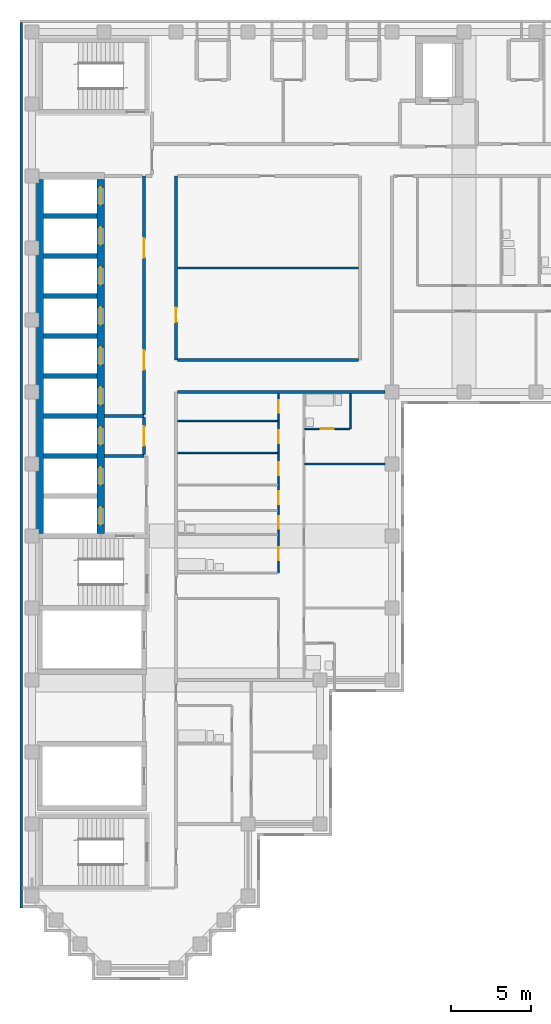
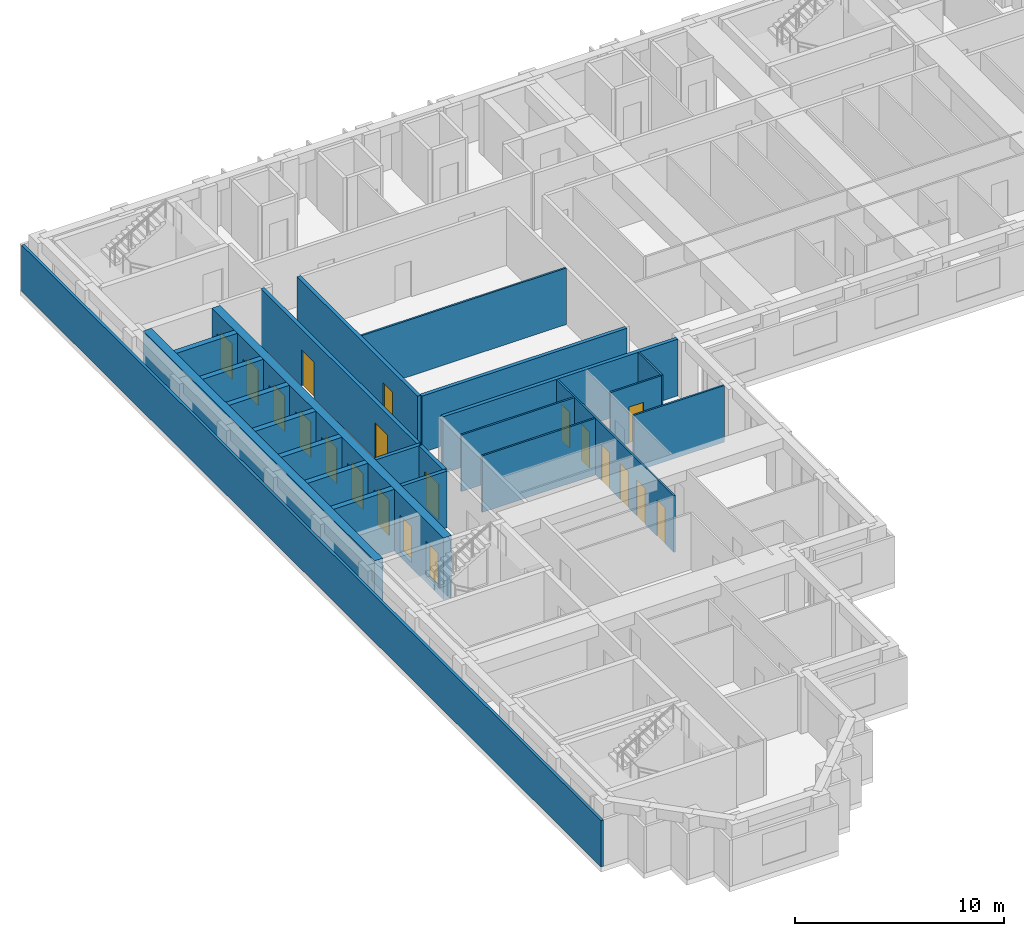
# One storey, part 4 of 10: 24 walls, 20 doors, 20 openings.
"""IFC4 building model written with IfcOpenShell, lengths in metres."""

from ifc_helpers import new_model, si_unit, direction, frame, frame_2d, origin, place, context, subcontext, project, spatial, rectangle, extrude, material, layer, layer_set, type_object, element, fill, save


model = new_model("IFC4")

# Units and contexts
model_context = context("Model", 3, precision=1e-05, world=origin(), true_north=direction((0.0, 1.0)))
body_context = subcontext(model_context, "Body", "Model", "MODEL_VIEW")
ifc_project = project(units=[si_unit("LENGTHUNIT", "METRE"), si_unit("AREAUNIT", "SQUARE_METRE"), si_unit("VOLUMEUNIT", "CUBIC_METRE"), si_unit("PLANEANGLEUNIT", "RADIAN"), si_unit("MASSUNIT", "GRAM", prefix="KILO")], contexts=[model_context])

# Site, building, storey
site_placement = place(None, origin())
site = spatial("IfcSite", under=ifc_project, at=site_placement, CompositionType="ELEMENT")
building_placement = place(site_placement, origin())
building = spatial("IfcBuilding", under=site, at=building_placement, Name="Firuza Court", CompositionType="ELEMENT")
storey_placement = place(building_placement, frame((0.0, 0.0, 200.60009765625)))
storey = spatial("IfcBuildingStorey", under=building, at=storey_placement, Name="L51", CompositionType="ELEMENT", Elevation=200.60009765625)

# Wall, opening, door
ifc_material_1 = material(Name="Moisture-resistant gypsum board partition")
ifc_layer_1 = layer(ifc_material_1, 0.10009765625)
ifc_layer_set_1 = layer_set([ifc_layer_1], Name="Moisture-resistant gypsum board partition")
wall_type_1 = type_object("IfcWallType", Name="Bathroom partition 100", PredefinedType="PLUMBINGWALL", material=ifc_layer_set_1)
wall_1_placement = place(storey_placement, frame((17.050048828125, 33.699951171875, 0.0), z_axis=(0.0, 0.0, 1.0), x_axis=(1.0, 0.0, 0.0)))
wall_1 = element("IfcWall", 1, at=wall_1_placement, inside=storey, type_object=wall_type_1, Name="Bathroom partition 100 L51", PredefinedType="PLUMBINGWALL", context=body_context, shape_type="SweptSolid", body=[
    extrude(rectangle(XDim=2.800048828125, YDim=0.10009765625, at=frame_2d((1.39990234375, 0.0))), origin(), (0.0, 0.0, 1.0), 3.2998046875),
])
opening_1_placement = place(wall_1_placement, frame((1.0, 0.0, 0.0)))
opening_1 = element("IfcOpeningElement", 2, at=opening_1_placement, cuts=wall_1, Name="Opening D51035", PredefinedType="OPENING", context=body_context, shape_type="SweptSolid", body=[
    extrude(rectangle(XDim=0.800048828125, YDim=2.10009765625, at=frame_2d((0.39990234375, 1.050048828125))), frame((0.0, 0.06201171875, 0.0), z_axis=(0.0, -1.0, 0.0), x_axis=(1.0, 0.0, 0.0)), (0.0, 0.0, 1.0), 0.1240234375),
])
ifc_material_2 = material(Name="Timber door leaf in hardwood frame", Category="wood")
door_type_1 = type_object("IfcDoorType", Name="Bathroom door 800", OperationType="SINGLE_SWING_LEFT", PredefinedType="DOOR", material=ifc_material_2)
door_1_placement = place(opening_1_placement, origin())
door_1 = element("IfcDoor", 3, at=door_1_placement, inside=storey, type_object=door_type_1, Name="En-suite door", OperationType="SINGLE_SWING_LEFT", OverallHeight=2.10009765625, OverallWidth=0.800048828125, PredefinedType="DOOR", context=body_context, shape_type="SweptSolid", body=[
    extrude(rectangle(XDim=0.800048828125, YDim=2.10009765625, at=frame_2d((0.39990234375, 1.050048828125))), frame((0.0, 0.02490234375, 0.0), z_axis=(0.0, -1.0, 0.0), x_axis=(1.0, 0.0, 0.0)), (0.0, 0.0, 1.0), 0.050048828125),
])
fill(opening_1, door_1)

# Walls
wall_2_placement = place(storey_placement, frame((19.89990234375, 33.699951171875, 0.0), z_axis=(0.0, 0.0, 1.0), x_axis=(0.0, 1.0, 0.0)))
element("IfcWall", 4, at=wall_2_placement, inside=storey, type_object=wall_type_1, Name="Bathroom partition 100 L51", PredefinedType="PLUMBINGWALL", context=body_context, shape_type="SweptSolid", body=[
    extrude(rectangle(XDim=2.199951171875, YDim=0.10009765625, at=frame_2d((1.10009765625, 0.0))), origin(), (0.0, 0.0, 1.0), 3.2998046875),
])
ifc_material_3 = material(Name="Concrete C50/60", Category="concrete")
ifc_layer_2 = layer(ifc_material_3, 0.300048828125)
ifc_layer_set_2 = layer_set([ifc_layer_2], Name="Concrete C50/60")
wall_type_2 = type_object("IfcWallType", Name="Core wall 300 C50/60", PredefinedType="SHEAR", material=ifc_layer_set_2)
for number, where, z_axis, x_axis, name in (
    (5, (0.72509765625, 32.0, -0.300048828125), (0.0, 0.0, 1.0), (1.0, 0.0, 0.0), "Core wall lift shaft L51"),
    (6, (0.72509765625, 34.5, -0.300048828125), (0.0, 0.0, 1.0), (1.0, 0.0, 0.0), "Core wall lift shaft L51"),
    (7, (0.72509765625, 37.0, -0.300048828125), (0.0, 0.0, 1.0), (1.0, 0.0, 0.0), "Core wall lift shaft L51"),
    (8, (0.72509765625, 39.5, -0.300048828125), (0.0, 0.0, 1.0), (1.0, 0.0, 0.0), "Core wall lift shaft L51"),
    (9, (0.72509765625, 42.0, -0.300048828125), (0.0, 0.0, 1.0), (1.0, 0.0, 0.0), "Core wall lift shaft L51"),
    (10, (0.72509765625, 44.5, -0.300048828125), (0.0, 0.0, 1.0), (1.0, 0.0, 0.0), "Core wall lift shaft L51"),
    (11, (0.72509765625, 47.0, -0.300048828125), (0.0, 0.0, 1.0), (1.0, 0.0, 0.0), "Core wall lift shaft L51"),
):
    element("IfcWall", number, at=place(storey_placement, frame(where, z_axis=z_axis, x_axis=x_axis)), inside=storey, type_object=wall_type_2, Name=name, PredefinedType="SHEAR", context=body_context, shape_type="SweptSolid", body=[
        extrude(rectangle(XDim=3.349853515625, YDim=0.300048828125, at=frame_2d((1.6748046875, 0.0))), origin(), (0.0, 0.0, 1.0), 3.599853515625),
    ])
ifc_layer_3 = layer(ifc_material_3, 0.449951171875)
ifc_layer_set_3 = layer_set([ifc_layer_3], Name="Concrete C50/60")
wall_type_3 = type_object("IfcWallType", Name="Core wall 450 C50/60", PredefinedType="SHEAR", material=ifc_layer_set_3)
wall_3_placement = place(storey_placement, frame((0.5, 27.14990234375, -0.300048828125), z_axis=(0.0, 0.0, 1.0), x_axis=(0.0, 1.0, 0.0)))
element("IfcWall", 12, at=wall_3_placement, inside=storey, type_object=wall_type_3, Name="Core wall lift shaft L51", PredefinedType="SHEAR", context=body_context, shape_type="SweptSolid", body=[
    extrude(rectangle(XDim=22.125, YDim=0.449951171875, at=frame_2d((11.0625, 0.0))), origin(), (0.0, 0.0, 1.0), 3.599853515625),
])

# Wall, openings, doors
wall_4_placement = place(storey_placement, frame((4.300048828125, 27.14990234375, -0.300048828125), z_axis=(0.0, 0.0, 1.0), x_axis=(0.0, 1.0, 0.0)))
wall_4 = element("IfcWall", 13, at=wall_4_placement, inside=storey, type_object=wall_type_3, Name="Core wall lift shaft L51", PredefinedType="SHEAR", context=body_context, shape_type="SweptSolid", body=[
    extrude(rectangle(XDim=22.125, YDim=0.449951171875, at=frame_2d((11.0625, 0.0))), origin(), (0.0, 0.0, 1.0), 3.599853515625),
])
opening_2_placement = place(wall_4_placement, frame((3.050048828125, 0.0, 0.300048828125)))
opening_2 = element("IfcOpeningElement", 14, at=opening_2_placement, cuts=wall_4, Name="Opening LD-FL1-51", PredefinedType="OPENING", context=body_context, shape_type="SweptSolid", body=[
    extrude(rectangle(XDim=1.10009765625, YDim=2.10009765625, at=frame_2d((0.550048828125, 1.050048828125))), frame((0.0, 0.23681640625, 0.0), z_axis=(0.0, -1.0, 0.0), x_axis=(1.0, 0.0, 0.0)), (0.0, 0.0, 1.0), 0.473876953125),
])
opening_3_placement = place(wall_4_placement, frame((0.550048828125, 0.0, 0.300048828125)))
opening_3 = element("IfcOpeningElement", 15, at=opening_3_placement, cuts=wall_4, Name="Opening LD-FL2-51", PredefinedType="OPENING", context=body_context, shape_type="SweptSolid", body=[
    extrude(rectangle(XDim=1.10009765625, YDim=2.10009765625, at=frame_2d((0.550048828125, 1.050048828125))), frame((0.0, 0.23681640625, 0.0), z_axis=(0.0, -1.0, 0.0), x_axis=(1.0, 0.0, 0.0)), (0.0, 0.0, 1.0), 0.473876953125),
])
opening_4_placement = place(wall_4_placement, frame((20.550048828125, 0.0, 0.300048828125)))
opening_4 = element("IfcOpeningElement", 16, at=opening_4_placement, cuts=wall_4, Name="Opening LD-HB1-51", PredefinedType="OPENING", context=body_context, shape_type="SweptSolid", body=[
    extrude(rectangle(XDim=1.10009765625, YDim=2.10009765625, at=frame_2d((0.550048828125, 1.050048828125))), frame((0.0, 0.23681640625, 0.0), z_axis=(0.0, -1.0, 0.0), x_axis=(1.0, 0.0, 0.0)), (0.0, 0.0, 1.0), 0.473876953125),
])
opening_5_placement = place(wall_4_placement, frame((18.050048828125, 0.0, 0.300048828125)))
opening_5 = element("IfcOpeningElement", 17, at=opening_5_placement, cuts=wall_4, Name="Opening LD-HB2-51", PredefinedType="OPENING", context=body_context, shape_type="SweptSolid", body=[
    extrude(rectangle(XDim=1.10009765625, YDim=2.10009765625, at=frame_2d((0.550048828125, 1.050048828125))), frame((0.0, 0.23681640625, 0.0), z_axis=(0.0, -1.0, 0.0), x_axis=(1.0, 0.0, 0.0)), (0.0, 0.0, 1.0), 0.473876953125),
])
opening_6_placement = place(wall_4_placement, frame((15.550048828125, 0.0, 0.300048828125)))
opening_6 = element("IfcOpeningElement", 18, at=opening_6_placement, cuts=wall_4, Name="Opening LD-HB3-51", PredefinedType="OPENING", context=body_context, shape_type="SweptSolid", body=[
    extrude(rectangle(XDim=1.10009765625, YDim=2.10009765625, at=frame_2d((0.550048828125, 1.050048828125))), frame((0.0, 0.23681640625, 0.0), z_axis=(0.0, -1.0, 0.0), x_axis=(1.0, 0.0, 0.0)), (0.0, 0.0, 1.0), 0.473876953125),
])
opening_7_placement = place(wall_4_placement, frame((13.050048828125, 0.0, 0.300048828125)))
opening_7 = element("IfcOpeningElement", 19, at=opening_7_placement, cuts=wall_4, Name="Opening LD-HB4-51", PredefinedType="OPENING", context=body_context, shape_type="SweptSolid", body=[
    extrude(rectangle(XDim=1.10009765625, YDim=2.10009765625, at=frame_2d((0.550048828125, 1.050048828125))), frame((0.0, 0.23681640625, 0.0), z_axis=(0.0, -1.0, 0.0), x_axis=(1.0, 0.0, 0.0)), (0.0, 0.0, 1.0), 0.473876953125),
])
opening_8_placement = place(wall_4_placement, frame((10.550048828125, 0.0, 0.300048828125)))
opening_8 = element("IfcOpeningElement", 20, at=opening_8_placement, cuts=wall_4, Name="Opening LD-HB5-51", PredefinedType="OPENING", context=body_context, shape_type="SweptSolid", body=[
    extrude(rectangle(XDim=1.10009765625, YDim=2.10009765625, at=frame_2d((0.550048828125, 1.050048828125))), frame((0.0, 0.23681640625, 0.0), z_axis=(0.0, -1.0, 0.0), x_axis=(1.0, 0.0, 0.0)), (0.0, 0.0, 1.0), 0.473876953125),
])
opening_9_placement = place(wall_4_placement, frame((8.050048828125, 0.0, 0.300048828125)))
opening_9 = element("IfcOpeningElement", 21, at=opening_9_placement, cuts=wall_4, Name="Opening LD-HB6-51", PredefinedType="OPENING", context=body_context, shape_type="SweptSolid", body=[
    extrude(rectangle(XDim=1.10009765625, YDim=2.10009765625, at=frame_2d((0.550048828125, 1.050048828125))), frame((0.0, 0.23681640625, 0.0), z_axis=(0.0, -1.0, 0.0), x_axis=(1.0, 0.0, 0.0)), (0.0, 0.0, 1.0), 0.473876953125),
])
opening_10_placement = place(wall_4_placement, frame((5.550048828125, 0.0, 0.300048828125)))
opening_10 = element("IfcOpeningElement", 22, at=opening_10_placement, cuts=wall_4, Name="Opening LD-SL1-51", PredefinedType="OPENING", context=body_context, shape_type="SweptSolid", body=[
    extrude(rectangle(XDim=1.10009765625, YDim=2.10009765625, at=frame_2d((0.550048828125, 1.050048828125))), frame((0.0, 0.23681640625, 0.0), z_axis=(0.0, -1.0, 0.0), x_axis=(1.0, 0.0, 0.0)), (0.0, 0.0, 1.0), 0.473876953125),
])
ifc_material_4 = material(Name="Stainless steel 1.4301 door leaf", Category="steel")
door_type_2 = type_object("IfcDoorType", Name="Lift landing door 1100", OperationType="SLIDING_TO_LEFT", PredefinedType="DOOR", material=ifc_material_4)
door_2_placement = place(opening_2_placement, origin())
door_2 = element("IfcDoor", 23, at=door_2_placement, inside=storey, type_object=door_type_2, Name="Landing door FL1", OperationType="SLIDING_TO_LEFT", OverallHeight=2.10009765625, OverallWidth=1.10009765625, PredefinedType="DOOR", context=body_context, shape_type="SweptSolid", body=[
    extrude(rectangle(XDim=1.10009765625, YDim=2.10009765625, at=frame_2d((0.550048828125, 1.050048828125))), frame((0.0, 0.02490234375, 0.0), z_axis=(0.0, -1.0, 0.0), x_axis=(1.0, 0.0, 0.0)), (0.0, 0.0, 1.0), 0.050048828125),
])
fill(opening_2, door_2)
door_3_placement = place(opening_3_placement, origin())
door_3 = element("IfcDoor", 24, at=door_3_placement, inside=storey, type_object=door_type_2, Name="Landing door FL2", OperationType="SLIDING_TO_LEFT", OverallHeight=2.10009765625, OverallWidth=1.10009765625, PredefinedType="DOOR", context=body_context, shape_type="SweptSolid", body=[
    extrude(rectangle(XDim=1.10009765625, YDim=2.10009765625, at=frame_2d((0.550048828125, 1.050048828125))), frame((0.0, 0.02490234375, 0.0), z_axis=(0.0, -1.0, 0.0), x_axis=(1.0, 0.0, 0.0)), (0.0, 0.0, 1.0), 0.050048828125),
])
fill(opening_3, door_3)
door_4_placement = place(opening_4_placement, origin())
door_4 = element("IfcDoor", 25, at=door_4_placement, inside=storey, type_object=door_type_2, Name="Landing door HB1", OperationType="SLIDING_TO_LEFT", OverallHeight=2.10009765625, OverallWidth=1.10009765625, PredefinedType="DOOR", context=body_context, shape_type="SweptSolid", body=[
    extrude(rectangle(XDim=1.10009765625, YDim=2.10009765625, at=frame_2d((0.550048828125, 1.050048828125))), frame((0.0, 0.02490234375, 0.0), z_axis=(0.0, -1.0, 0.0), x_axis=(1.0, 0.0, 0.0)), (0.0, 0.0, 1.0), 0.050048828125),
])
fill(opening_4, door_4)
door_5_placement = place(opening_5_placement, origin())
door_5 = element("IfcDoor", 26, at=door_5_placement, inside=storey, type_object=door_type_2, Name="Landing door HB2", OperationType="SLIDING_TO_LEFT", OverallHeight=2.10009765625, OverallWidth=1.10009765625, PredefinedType="DOOR", context=body_context, shape_type="SweptSolid", body=[
    extrude(rectangle(XDim=1.10009765625, YDim=2.10009765625, at=frame_2d((0.550048828125, 1.050048828125))), frame((0.0, 0.02490234375, 0.0), z_axis=(0.0, -1.0, 0.0), x_axis=(1.0, 0.0, 0.0)), (0.0, 0.0, 1.0), 0.050048828125),
])
fill(opening_5, door_5)
door_6_placement = place(opening_6_placement, origin())
door_6 = element("IfcDoor", 27, at=door_6_placement, inside=storey, type_object=door_type_2, Name="Landing door HB3", OperationType="SLIDING_TO_LEFT", OverallHeight=2.10009765625, OverallWidth=1.10009765625, PredefinedType="DOOR", context=body_context, shape_type="SweptSolid", body=[
    extrude(rectangle(XDim=1.10009765625, YDim=2.10009765625, at=frame_2d((0.550048828125, 1.050048828125))), frame((0.0, 0.02490234375, 0.0), z_axis=(0.0, -1.0, 0.0), x_axis=(1.0, 0.0, 0.0)), (0.0, 0.0, 1.0), 0.050048828125),
])
fill(opening_6, door_6)
door_7_placement = place(opening_7_placement, origin())
door_7 = element("IfcDoor", 28, at=door_7_placement, inside=storey, type_object=door_type_2, Name="Landing door HB4", OperationType="SLIDING_TO_LEFT", OverallHeight=2.10009765625, OverallWidth=1.10009765625, PredefinedType="DOOR", context=body_context, shape_type="SweptSolid", body=[
    extrude(rectangle(XDim=1.10009765625, YDim=2.10009765625, at=frame_2d((0.550048828125, 1.050048828125))), frame((0.0, 0.02490234375, 0.0), z_axis=(0.0, -1.0, 0.0), x_axis=(1.0, 0.0, 0.0)), (0.0, 0.0, 1.0), 0.050048828125),
])
fill(opening_7, door_7)
door_8_placement = place(opening_8_placement, origin())
door_8 = element("IfcDoor", 29, at=door_8_placement, inside=storey, type_object=door_type_2, Name="Landing door HB5", OperationType="SLIDING_TO_LEFT", OverallHeight=2.10009765625, OverallWidth=1.10009765625, PredefinedType="DOOR", context=body_context, shape_type="SweptSolid", body=[
    extrude(rectangle(XDim=1.10009765625, YDim=2.10009765625, at=frame_2d((0.550048828125, 1.050048828125))), frame((0.0, 0.02490234375, 0.0), z_axis=(0.0, -1.0, 0.0), x_axis=(1.0, 0.0, 0.0)), (0.0, 0.0, 1.0), 0.050048828125),
])
fill(opening_8, door_8)
door_9_placement = place(opening_9_placement, origin())
door_9 = element("IfcDoor", 30, at=door_9_placement, inside=storey, type_object=door_type_2, Name="Landing door HB6", OperationType="SLIDING_TO_LEFT", OverallHeight=2.10009765625, OverallWidth=1.10009765625, PredefinedType="DOOR", context=body_context, shape_type="SweptSolid", body=[
    extrude(rectangle(XDim=1.10009765625, YDim=2.10009765625, at=frame_2d((0.550048828125, 1.050048828125))), frame((0.0, 0.02490234375, 0.0), z_axis=(0.0, -1.0, 0.0), x_axis=(1.0, 0.0, 0.0)), (0.0, 0.0, 1.0), 0.050048828125),
])
fill(opening_9, door_9)
door_10_placement = place(opening_10_placement, origin())
door_10 = element("IfcDoor", 31, at=door_10_placement, inside=storey, type_object=door_type_2, Name="Landing door SL1", OperationType="SLIDING_TO_LEFT", OverallHeight=2.10009765625, OverallWidth=1.10009765625, PredefinedType="DOOR", context=body_context, shape_type="SweptSolid", body=[
    extrude(rectangle(XDim=1.10009765625, YDim=2.10009765625, at=frame_2d((0.550048828125, 1.050048828125))), frame((0.0, 0.02490234375, 0.0), z_axis=(0.0, -1.0, 0.0), x_axis=(1.0, 0.0, 0.0)), (0.0, 0.0, 1.0), 0.050048828125),
])
fill(opening_10, door_10)

# Wall, opening, door
ifc_material_5 = material(Name="Blockwork, plastered both sides", Category="masonry")
ifc_layer_4 = layer(ifc_material_5, 0.199951171875)
ifc_layer_set_4 = layer_set([ifc_layer_4], Name="Blockwork, plastered both sides")
wall_type_4 = type_object("IfcWallType", Name="Corridor wall 200", PredefinedType="PARTITIONING", material=ifc_layer_set_4)
wall_5_placement = place(storey_placement, frame((9.0, 38.0, 0.0), z_axis=(0.0, 0.0, 1.0), x_axis=(0.0, 1.0, 0.0)))
wall_5 = element("IfcWall", 32, at=wall_5_placement, inside=storey, type_object=wall_type_4, Name="Corridor wall 200 L51", PredefinedType="PARTITIONING", context=body_context, shape_type="SweptSolid", body=[
    extrude(rectangle(XDim=11.5, YDim=0.199951171875, at=frame_2d((5.75, 0.0))), origin(), (0.0, 0.0, 1.0), 3.2998046875),
])
opening_11_placement = place(wall_5_placement, frame((2.375, 0.0, 0.0)))
opening_11 = element("IfcOpeningElement", 33, at=opening_11_placement, cuts=wall_5, Name="Opening D51036", PredefinedType="OPENING", context=body_context, shape_type="SweptSolid", body=[
    extrude(rectangle(XDim=0.89990234375, YDim=2.10009765625, at=frame_2d((0.449951171875, 1.050048828125))), frame((0.0, 0.11181640625, 0.0), z_axis=(0.0, -1.0, 0.0), x_axis=(1.0, 0.0, 0.0)), (0.0, 0.0, 1.0), 0.223876953125),
])
ifc_material_6 = material(Name="Timber door leaf in hardwood frame", Category="wood")
door_type_3 = type_object("IfcDoorType", Name="Room door 900 EI 30", OperationType="SINGLE_SWING_LEFT", PredefinedType="DOOR", material=ifc_material_6)
door_11_placement = place(opening_11_placement, frame((0.89990234375, 0.0, 0.0), z_axis=(0.0, 0.0, 1.0), x_axis=(-1.0, 0.0, 0.0)))
door_11 = element("IfcDoor", 34, at=door_11_placement, inside=storey, type_object=door_type_3, Name="Wine room door", OperationType="SINGLE_SWING_RIGHT", OverallHeight=2.10009765625, OverallWidth=0.89990234375, PredefinedType="DOOR", context=body_context, shape_type="SweptSolid", body=[
    extrude(rectangle(XDim=0.89990234375, YDim=2.10009765625, at=frame_2d((0.449951171875, 1.050048828125))), frame((0.0, 0.02490234375, 0.0), z_axis=(0.0, -1.0, 0.0), x_axis=(1.0, 0.0, 0.0)), (0.0, 0.0, 1.0), 0.050048828125),
])
fill(opening_11, door_11)

# Wall
wall_6_placement = place(storey_placement, frame((9.10009765625, 38.0, 0.0), z_axis=(0.0, 0.0, 1.0), x_axis=(1.0, 0.0, 0.0)))
element("IfcWall", 35, at=wall_6_placement, inside=storey, type_object=wall_type_4, Name="Corridor wall 200 L51", PredefinedType="PARTITIONING", context=body_context, shape_type="SweptSolid", body=[
    extrude(rectangle(XDim=11.2998046875, YDim=0.199951171875, at=frame_2d((5.64990234375, 0.0))), origin(), (0.0, 0.0, 1.0), 3.2998046875),
])

# Wall, openings, doors
ifc_material_7 = material(Name="Timber stud partition, plasterboard both sides", Category="wood")
ifc_layer_5 = layer(ifc_material_7, 0.10009765625)
ifc_layer_set_5 = layer_set([ifc_layer_5], Name="Timber stud partition, plasterboard both sides")
wall_type_5 = type_object("IfcWallType", Name="Partition wall 100", PredefinedType="PARTITIONING", material=ifc_layer_set_5)
wall_7_placement = place(storey_placement, frame((15.39990234375, 24.699951171875, 0.0), z_axis=(0.0, 0.0, 1.0), x_axis=(0.0, 1.0, 0.0)))
wall_7 = element("IfcWall", 36, at=wall_7_placement, inside=storey, type_object=wall_type_5, Name="Partition wall 100 L51", PredefinedType="PARTITIONING", context=body_context, shape_type="SweptSolid", body=[
    extrude(rectangle(XDim=11.199951171875, YDim=0.10009765625, at=frame_2d((5.60009765625, 0.0))), origin(), (0.0, 0.0, 1.0), 3.2998046875),
])
opening_12_placement = place(wall_7_placement, frame((0.800048828125, 0.0, 0.0)))
opening_12 = element("IfcOpeningElement", 37, at=opening_12_placement, cuts=wall_7, Name="Opening D51029", PredefinedType="OPENING", context=body_context, shape_type="SweptSolid", body=[
    extrude(rectangle(XDim=0.800048828125, YDim=2.10009765625, at=frame_2d((0.39990234375, 1.050048828125))), frame((0.0, 0.06201171875, 0.0), z_axis=(0.0, -1.0, 0.0), x_axis=(1.0, 0.0, 0.0)), (0.0, 0.0, 1.0), 0.1240234375),
])
opening_13_placement = place(wall_7_placement, frame((8.10009765625, 0.0, 0.0)))
opening_13 = element("IfcOpeningElement", 38, at=opening_13_placement, cuts=wall_7, Name="Opening D51030", PredefinedType="OPENING", context=body_context, shape_type="SweptSolid", body=[
    extrude(rectangle(XDim=0.800048828125, YDim=2.10009765625, at=frame_2d((0.39990234375, 1.050048828125))), frame((0.0, 0.06201171875, 0.0), z_axis=(0.0, -1.0, 0.0), x_axis=(1.0, 0.0, 0.0)), (0.0, 0.0, 1.0), 0.1240234375),
])
opening_14_placement = place(wall_7_placement, frame((4.300048828125, 0.0, 0.0)))
opening_14 = element("IfcOpeningElement", 39, at=opening_14_placement, cuts=wall_7, Name="Opening D51031", PredefinedType="OPENING", context=body_context, shape_type="SweptSolid", body=[
    extrude(rectangle(XDim=0.800048828125, YDim=2.10009765625, at=frame_2d((0.39990234375, 1.050048828125))), frame((0.0, 0.06201171875, 0.0), z_axis=(0.0, -1.0, 0.0), x_axis=(1.0, 0.0, 0.0)), (0.0, 0.0, 1.0), 0.1240234375),
])
opening_15_placement = place(wall_7_placement, frame((6.10009765625, 0.0, 0.0)))
opening_15 = element("IfcOpeningElement", 40, at=opening_15_placement, cuts=wall_7, Name="Opening D51032", PredefinedType="OPENING", context=body_context, shape_type="SweptSolid", body=[
    extrude(rectangle(XDim=0.800048828125, YDim=2.10009765625, at=frame_2d((0.39990234375, 1.050048828125))), frame((0.0, 0.06201171875, 0.0), z_axis=(0.0, -1.0, 0.0), x_axis=(1.0, 0.0, 0.0)), (0.0, 0.0, 1.0), 0.1240234375),
])
opening_16_placement = place(wall_7_placement, frame((10.0, 0.0, 0.0)))
opening_16 = element("IfcOpeningElement", 41, at=opening_16_placement, cuts=wall_7, Name="Opening D51033", PredefinedType="OPENING", context=body_context, shape_type="SweptSolid", body=[
    extrude(rectangle(XDim=0.800048828125, YDim=2.10009765625, at=frame_2d((0.39990234375, 1.050048828125))), frame((0.0, 0.06201171875, 0.0), z_axis=(0.0, -1.0, 0.0), x_axis=(1.0, 0.0, 0.0)), (0.0, 0.0, 1.0), 0.1240234375),
])
opening_17_placement = place(wall_7_placement, frame((2.75, 0.0, 0.0)))
opening_17 = element("IfcOpeningElement", 42, at=opening_17_placement, cuts=wall_7, Name="Opening D51034", PredefinedType="OPENING", context=body_context, shape_type="SweptSolid", body=[
    extrude(rectangle(XDim=0.800048828125, YDim=2.10009765625, at=frame_2d((0.39990234375, 1.050048828125))), frame((0.0, 0.06201171875, 0.0), z_axis=(0.0, -1.0, 0.0), x_axis=(1.0, 0.0, 0.0)), (0.0, 0.0, 1.0), 0.1240234375),
])
door_12_placement = place(opening_12_placement, origin())
door_12 = element("IfcDoor", 43, at=door_12_placement, inside=storey, type_object=door_type_1, Name="Bathroom door", OperationType="SINGLE_SWING_LEFT", OverallHeight=2.10009765625, OverallWidth=0.800048828125, PredefinedType="DOOR", context=body_context, shape_type="SweptSolid", body=[
    extrude(rectangle(XDim=0.800048828125, YDim=2.10009765625, at=frame_2d((0.39990234375, 1.050048828125))), frame((0.0, 0.02490234375, 0.0), z_axis=(0.0, -1.0, 0.0), x_axis=(1.0, 0.0, 0.0)), (0.0, 0.0, 1.0), 0.050048828125),
])
fill(opening_12, door_12)
door_13_placement = place(opening_17_placement, origin())
door_13 = element("IfcDoor", 44, at=door_13_placement, inside=storey, type_object=door_type_1, Name="Powder room door", OperationType="SINGLE_SWING_LEFT", OverallHeight=2.10009765625, OverallWidth=0.800048828125, PredefinedType="DOOR", context=body_context, shape_type="SweptSolid", body=[
    extrude(rectangle(XDim=0.800048828125, YDim=2.10009765625, at=frame_2d((0.39990234375, 1.050048828125))), frame((0.0, 0.02490234375, 0.0), z_axis=(0.0, -1.0, 0.0), x_axis=(1.0, 0.0, 0.0)), (0.0, 0.0, 1.0), 0.050048828125),
])
fill(opening_17, door_13)
ifc_material_8 = material(Name="Timber door leaf in hardwood frame", Category="wood")
door_type_4 = type_object("IfcDoorType", Name="Room door 800", OperationType="SINGLE_SWING_LEFT", PredefinedType="DOOR", material=ifc_material_8)
door_14_placement = place(opening_13_placement, origin())
door_14 = element("IfcDoor", 45, at=door_14_placement, inside=storey, type_object=door_type_4, Name="Pantry door", OperationType="SINGLE_SWING_LEFT", OverallHeight=2.10009765625, OverallWidth=0.800048828125, PredefinedType="DOOR", context=body_context, shape_type="SweptSolid", body=[
    extrude(rectangle(XDim=0.800048828125, YDim=2.10009765625, at=frame_2d((0.39990234375, 1.050048828125))), frame((0.0, 0.02490234375, 0.0), z_axis=(0.0, -1.0, 0.0), x_axis=(1.0, 0.0, 0.0)), (0.0, 0.0, 1.0), 0.050048828125),
])
fill(opening_13, door_14)
door_15_placement = place(opening_14_placement, origin())
door_15 = element("IfcDoor", 46, at=door_15_placement, inside=storey, type_object=door_type_4, Name="Store door", OperationType="SINGLE_SWING_LEFT", OverallHeight=2.10009765625, OverallWidth=0.800048828125, PredefinedType="DOOR", context=body_context, shape_type="SweptSolid", body=[
    extrude(rectangle(XDim=0.800048828125, YDim=2.10009765625, at=frame_2d((0.39990234375, 1.050048828125))), frame((0.0, 0.02490234375, 0.0), z_axis=(0.0, -1.0, 0.0), x_axis=(1.0, 0.0, 0.0)), (0.0, 0.0, 1.0), 0.050048828125),
])
fill(opening_14, door_15)
door_16_placement = place(opening_15_placement, origin())
door_16 = element("IfcDoor", 47, at=door_16_placement, inside=storey, type_object=door_type_4, Name="Utility room door", OperationType="SINGLE_SWING_LEFT", OverallHeight=2.10009765625, OverallWidth=0.800048828125, PredefinedType="DOOR", context=body_context, shape_type="SweptSolid", body=[
    extrude(rectangle(XDim=0.800048828125, YDim=2.10009765625, at=frame_2d((0.39990234375, 1.050048828125))), frame((0.0, 0.02490234375, 0.0), z_axis=(0.0, -1.0, 0.0), x_axis=(1.0, 0.0, 0.0)), (0.0, 0.0, 1.0), 0.050048828125),
])
fill(opening_15, door_16)
door_17_placement = place(opening_16_placement, origin())
door_17 = element("IfcDoor", 48, at=door_17_placement, inside=storey, type_object=door_type_4, Name="Walk-in wardrobe door", OperationType="SINGLE_SWING_LEFT", OverallHeight=2.10009765625, OverallWidth=0.800048828125, PredefinedType="DOOR", context=body_context, shape_type="SweptSolid", body=[
    extrude(rectangle(XDim=0.800048828125, YDim=2.10009765625, at=frame_2d((0.39990234375, 1.050048828125))), frame((0.0, 0.02490234375, 0.0), z_axis=(0.0, -1.0, 0.0), x_axis=(1.0, 0.0, 0.0)), (0.0, 0.0, 1.0), 0.050048828125),
])
fill(opening_16, door_17)

# Walls
wall_8_placement = place(storey_placement, frame((17.050048828125, 31.5, 0.0), z_axis=(0.0, 0.0, 1.0), x_axis=(1.0, 0.0, 0.0)))
element("IfcWall", 49, at=wall_8_placement, inside=storey, type_object=wall_type_5, Name="Partition wall 100 L51", PredefinedType="PARTITIONING", context=body_context, shape_type="SweptSolid", body=[
    extrude(rectangle(XDim=5.0, YDim=0.10009765625, at=frame_2d((2.5, 0.0))), origin(), (0.0, 0.0, 1.0), 3.2998046875),
])
for number, where, z_axis, x_axis, name in (
    (50, (9.10009765625, 32.199951171875, 0.0), (0.0, 0.0, 1.0), (1.0, 0.0, 0.0), "Partition wall 100 L51"),
    (51, (9.10009765625, 34.199951171875, 0.0), (0.0, 0.0, 1.0), (1.0, 0.0, 0.0), "Partition wall 100 L51"),
):
    element("IfcWall", number, at=place(storey_placement, frame(where, z_axis=z_axis, x_axis=x_axis)), inside=storey, type_object=wall_type_5, Name=name, PredefinedType="PARTITIONING", context=body_context, shape_type="SweptSolid", body=[
        extrude(rectangle(XDim=6.25, YDim=0.10009765625, at=frame_2d((3.125, 0.0))), origin(), (0.0, 0.0, 1.0), 3.2998046875),
    ])
wall_9_placement = place(storey_placement, frame((9.10009765625, 43.75, 0.0), z_axis=(0.0, 0.0, 1.0), x_axis=(1.0, 0.0, 0.0)))
element("IfcWall", 52, at=wall_9_placement, inside=storey, type_object=wall_type_5, Name="Partition wall 100 L51", PredefinedType="PARTITIONING", context=body_context, shape_type="SweptSolid", body=[
    extrude(rectangle(XDim=11.2998046875, YDim=0.10009765625, at=frame_2d((5.64990234375, 0.0))), origin(), (0.0, 0.0, 1.0), 3.2998046875),
])
ifc_layer_6 = layer(ifc_material_5, 0.199951171875)
ifc_layer_set_6 = layer_set([ifc_layer_6], Name="Blockwork, plastered both sides")
wall_type_6 = type_object("IfcWallType", Name="Party wall 200", PredefinedType="PARTITIONING", material=ifc_layer_set_6)
wall_10_placement = place(storey_placement, frame((9.10009765625, 36.0, 0.0), z_axis=(0.0, 0.0, 1.0), x_axis=(1.0, 0.0, 0.0)))
element("IfcWall", 53, at=wall_10_placement, inside=storey, type_object=wall_type_6, Name="Party wall 200 L51", PredefinedType="PARTITIONING", context=body_context, shape_type="SweptSolid", body=[
    extrude(rectangle(XDim=12.949951171875, YDim=0.199951171875, at=frame_2d((6.47509765625, 0.0))), origin(), (0.0, 0.0, 1.0), 3.2998046875),
])
ifc_material_9 = material(Name="Ceramic tile", Category="ceramic")
ifc_layer_7 = layer(ifc_material_9, 0.02001953125)
ifc_material_10 = material(Name="Mineral wool insulation", Category="insulation")
ifc_layer_8 = layer(ifc_material_10, 0.050048828125)
ifc_material_11 = material(Name="Concrete C40/50 precast", Category="concrete")
ifc_layer_9 = layer(ifc_material_11, 0.080078125)
ifc_layer_set_7 = layer_set([ifc_layer_7, ifc_layer_8, ifc_layer_9], Name="Concrete C40/50 precast")
wall_type_7 = type_object("IfcWallType", Name="Precast cladding wall with turquoise TILE PANEL face 150", PredefinedType="STANDARD", material=ifc_layer_set_7)
wall_11_placement = place(storey_placement, frame((-0.675048828125, 59.10009765625, 0.0), z_axis=(0.0, 0.0, 1.0), x_axis=(0.0, -1.0, 0.0)))
element("IfcWall", 54, at=wall_11_placement, inside=storey, type_object=wall_type_7, Name="Facade wall L51 W", PredefinedType="STANDARD", context=body_context, shape_type="SweptSolid", body=[
    extrude(rectangle(XDim=55.35009765625, YDim=0.14990234375, at=frame_2d((27.675048828125, 0.0))), origin(), (0.0, 0.0, 1.0), 2.699951171875),
])
ifc_material_12 = material(Name="Blockwork, fire-rated", Category="masonry")
ifc_layer_10 = layer(ifc_material_12, 0.199951171875)
ifc_layer_set_8 = layer_set([ifc_layer_10], Name="Blockwork, fire-rated")
wall_type_8 = type_object("IfcWallType", Name="Shaft wall 200", PredefinedType="PARTITIONING", material=ifc_layer_set_8)
wall_12_placement = place(storey_placement, frame((4.544921875, 34.5, 0.0), z_axis=(0.0, 0.0, 1.0), x_axis=(1.0, 0.0, 0.0)))
element("IfcWall", 55, at=wall_12_placement, inside=storey, type_object=wall_type_8, Name="Shaft wall 200 L51", PredefinedType="PARTITIONING", context=body_context, shape_type="SweptSolid", body=[
    extrude(rectangle(XDim=2.455078125, YDim=0.199951171875, at=frame_2d((1.2275390625, 0.0))), origin(), (0.0, 0.0, 1.0), 3.2998046875),
])

# Wall, openings, doors
wall_13_placement = place(storey_placement, frame((7.0, 34.60009765625, 0.0), z_axis=(0.0, 0.0, 1.0), x_axis=(0.0, 1.0, 0.0)))
wall_13 = element("IfcWall", 56, at=wall_13_placement, inside=storey, type_object=wall_type_8, Name="Shaft wall 200 L51", PredefinedType="PARTITIONING", context=body_context, shape_type="SweptSolid", body=[
    extrude(rectangle(XDim=14.89990234375, YDim=0.199951171875, at=frame_2d((7.449951171875, 0.0))), origin(), (0.0, 0.0, 1.0), 3.2998046875),
])
opening_18_placement = place(wall_13_placement, frame((2.800048828125, 0.0, 0.0)))
opening_18 = element("IfcOpeningElement", 57, at=opening_18_placement, cuts=wall_13, Name="Opening D51004", PredefinedType="OPENING", context=body_context, shape_type="SweptSolid", body=[
    extrude(rectangle(XDim=1.199951171875, YDim=2.10009765625, at=frame_2d((0.60009765625, 1.050048828125))), frame((0.0, 0.11181640625, 0.0), z_axis=(0.0, -1.0, 0.0), x_axis=(1.0, 0.0, 0.0)), (0.0, 0.0, 1.0), 0.223876953125),
])
opening_19_placement = place(wall_13_placement, frame((9.800048828125, 0.0, 0.0)))
opening_19 = element("IfcOpeningElement", 58, at=opening_19_placement, cuts=wall_13, Name="Opening D51005", PredefinedType="OPENING", context=body_context, shape_type="SweptSolid", body=[
    extrude(rectangle(XDim=1.199951171875, YDim=2.10009765625, at=frame_2d((0.60009765625, 1.050048828125))), frame((0.0, 0.11181640625, 0.0), z_axis=(0.0, -1.0, 0.0), x_axis=(1.0, 0.0, 0.0)), (0.0, 0.0, 1.0), 0.223876953125),
])
ifc_material_13 = material(Name="Timber door leaf in hardwood frame", Category="wood")
door_type_5 = type_object("IfcDoorType", Name="Lobby door 1200", OperationType="SINGLE_SWING_LEFT", PredefinedType="DOOR", material=ifc_material_13)
door_18_placement = place(opening_18_placement, origin())
door_18 = element("IfcDoor", 59, at=door_18_placement, inside=storey, type_object=door_type_5, Name="Lobby door", OperationType="SINGLE_SWING_LEFT", OverallHeight=2.10009765625, OverallWidth=1.199951171875, PredefinedType="DOOR", context=body_context, shape_type="SweptSolid", body=[
    extrude(rectangle(XDim=1.199951171875, YDim=2.10009765625, at=frame_2d((0.60009765625, 1.050048828125))), frame((0.0, 0.02490234375, 0.0), z_axis=(0.0, -1.0, 0.0), x_axis=(1.0, 0.0, 0.0)), (0.0, 0.0, 1.0), 0.050048828125),
])
fill(opening_18, door_18)
door_19_placement = place(opening_19_placement, origin())
door_19 = element("IfcDoor", 60, at=door_19_placement, inside=storey, type_object=door_type_5, Name="Lobby door", OperationType="SINGLE_SWING_RIGHT", OverallHeight=2.10009765625, OverallWidth=1.199951171875, PredefinedType="DOOR", context=body_context, shape_type="SweptSolid", body=[
    extrude(rectangle(XDim=1.199951171875, YDim=2.10009765625, at=frame_2d((0.60009765625, 1.050048828125))), frame((0.0, 0.02490234375, 0.0), z_axis=(0.0, -1.0, 0.0), x_axis=(1.0, 0.0, 0.0)), (0.0, 0.0, 1.0), 0.050048828125),
])
fill(opening_19, door_19)

# Wall
wall_14_placement = place(storey_placement, frame((4.544921875, 32.0, 0.0), z_axis=(0.0, 0.0, 1.0), x_axis=(1.0, 0.0, 0.0)))
element("IfcWall", 61, at=wall_14_placement, inside=storey, type_object=wall_type_8, Name="Shaft wall 200 L51", PredefinedType="PARTITIONING", context=body_context, shape_type="SweptSolid", body=[
    extrude(rectangle(XDim=2.455078125, YDim=0.199951171875, at=frame_2d((1.2275390625, 0.0))), origin(), (0.0, 0.0, 1.0), 3.2998046875),
])

# Wall, opening, door
wall_15_placement = place(storey_placement, frame((7.0, 32.10009765625, 0.0), z_axis=(0.0, 0.0, 1.0), x_axis=(0.0, 1.0, 0.0)))
wall_15 = element("IfcWall", 62, at=wall_15_placement, inside=storey, type_object=wall_type_8, Name="Shaft wall 200 L51", PredefinedType="PARTITIONING", context=body_context, shape_type="SweptSolid", body=[
    extrude(rectangle(XDim=2.2998046875, YDim=0.199951171875, at=frame_2d((1.14990234375, 0.0))), origin(), (0.0, 0.0, 1.0), 3.2998046875),
])
opening_20_placement = place(wall_15_placement, frame((0.550048828125, 0.0, 0.0)))
opening_20 = element("IfcOpeningElement", 63, at=opening_20_placement, cuts=wall_15, Name="Opening D51007", PredefinedType="OPENING", context=body_context, shape_type="SweptSolid", body=[
    extrude(rectangle(XDim=1.199951171875, YDim=2.10009765625, at=frame_2d((0.60009765625, 1.050048828125))), frame((0.0, 0.11181640625, 0.0), z_axis=(0.0, -1.0, 0.0), x_axis=(1.0, 0.0, 0.0)), (0.0, 0.0, 1.0), 0.223876953125),
])
door_20_placement = place(opening_20_placement, origin())
door_20 = element("IfcDoor", 64, at=door_20_placement, inside=storey, type_object=door_type_5, Name="Lobby door", OperationType="SINGLE_SWING_LEFT", OverallHeight=2.10009765625, OverallWidth=1.199951171875, PredefinedType="DOOR", context=body_context, shape_type="SweptSolid", body=[
    extrude(rectangle(XDim=1.199951171875, YDim=2.10009765625, at=frame_2d((0.60009765625, 1.050048828125))), frame((0.0, 0.02490234375, 0.0), z_axis=(0.0, -1.0, 0.0), x_axis=(1.0, 0.0, 0.0)), (0.0, 0.0, 1.0), 0.050048828125),
])
fill(opening_20, door_20)

save(model, "model.ifc")
